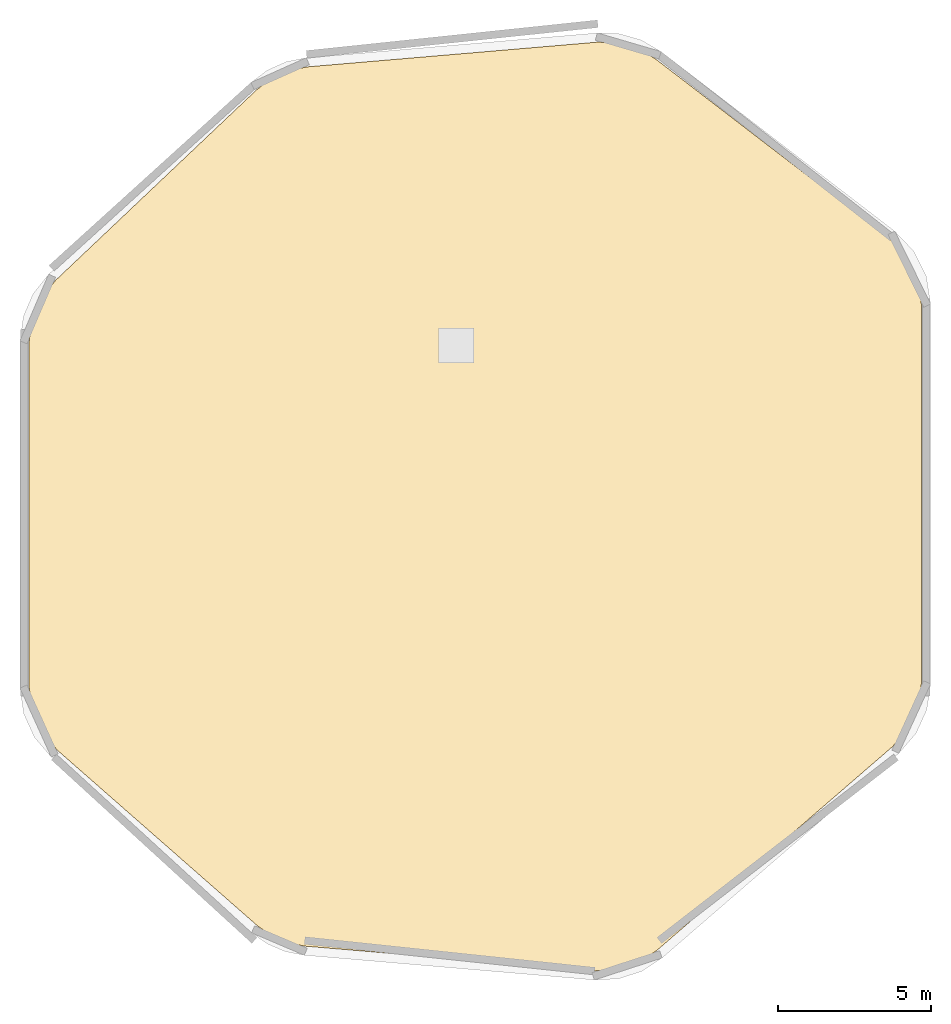
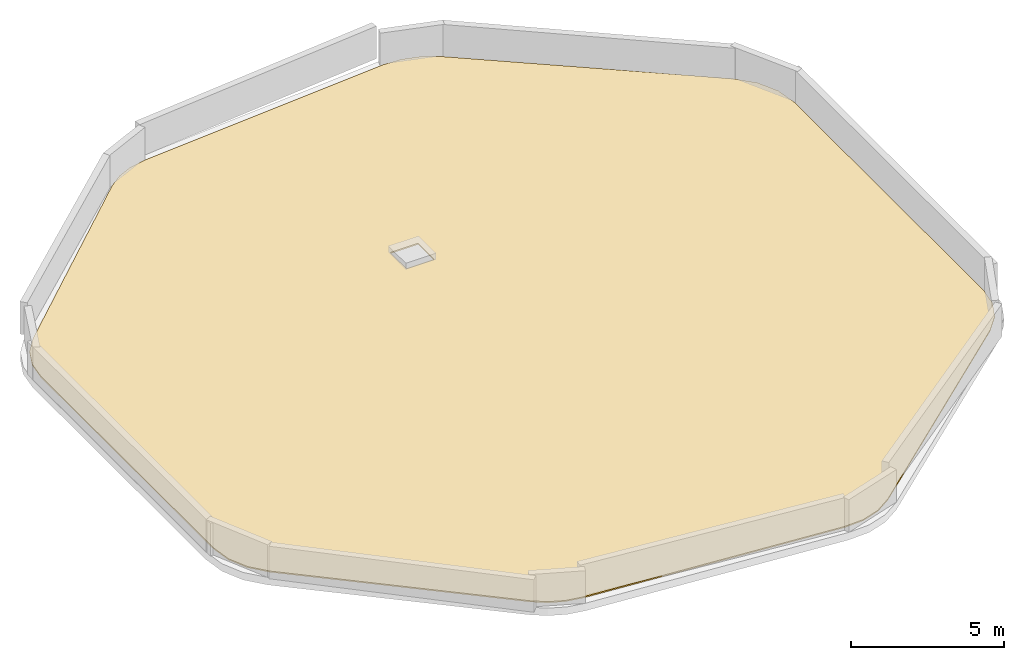
# One storey, part 2 of 2: 1 covering.
"""IFC4 building model written with IfcOpenShell, lengths in metres."""

import ifcopenshell
import ifcopenshell.guid

model = None  # the IFC model being written
_history = None  # IfcOwnerHistory: only IFC2X3 demands one
_inside = {}  # id of a spatial element -> (the spatial element, [elements in it])
_under = {}  # id of a project, library or spatial element -> (it, [spatial elements below it])
_declared = {}  # id of a project -> (the project, [libraries it declares])
_typed = {}  # id of a type object -> (the type object, [elements of that type])
_made_of = {}  # id of a material, layer set ... -> (it, [elements and type objects made of it])


def new_model(schema):
    """Start an empty IFC model of exactly this schema.

    Asked for "IFC4X3", IfcOpenShell would pick the latest addendum, in which some entities
    have other attributes; the version numbers below select the first issue.
    IFC2X3 requires an IfcOwnerHistory on every rooted entity: one is made here for all.
    """
    global model, _history
    if schema == "IFC4X3":
        model = ifcopenshell.file(schema_version=(4, 3, 0, 0))
    else:
        model = ifcopenshell.file(schema=schema)
    _inside.clear()
    _under.clear()
    _declared.clear()
    _typed.clear()
    _made_of.clear()
    _history = None
    if model.schema == "IFC2X3":
        org = make("IfcOrganization", Name="unknown")
        user = make(
            "IfcPersonAndOrganization",
            ThePerson=make("IfcPerson", FamilyName="unknown"),
            TheOrganization=org,
        )
        app = make(
            "IfcApplication",
            ApplicationDeveloper=org,
            Version="unknown",
            ApplicationFullName="unknown",
            ApplicationIdentifier="unknown",
        )
        _history = make(
            "IfcOwnerHistory",
            OwningUser=user,
            OwningApplication=app,
            ChangeAction="ADDED",
            CreationDate=0,
        )
    return model


def make(cls, **values):
    """One entity of the class cls with the attributes given. An attribute that is None is left unset."""
    return model.create_entity(
        cls, **{name: value for name, value in values.items() if value is not None}
    )


def rooted(cls, **values):
    """An entity with a GlobalId (a new one), such as an element, a storey or a relation."""
    return make(cls, GlobalId=ifcopenshell.guid.new(), OwnerHistory=_history, **values)


def si_unit(unit_type, name, prefix=None):
    """IfcSIUnit, for example si_unit("LENGTHUNIT", "METRE", prefix="MILLI")."""
    return make("IfcSIUnit", UnitType=unit_type, Prefix=prefix, Name=name)


def assignment(units):
    """IfcUnitAssignment: the units of a project."""
    return None if units is None else make("IfcUnitAssignment", Units=units)


def point(xyz):
    """IfcCartesianPoint."""
    return None if xyz is None else make("IfcCartesianPoint", Coordinates=xyz)


def direction(xyz):
    """IfcDirection."""
    return None if xyz is None else make("IfcDirection", DirectionRatios=xyz)


def frame(location, z_axis=None, x_axis=None):
    """IfcAxis2Placement3D, a coordinate frame: its origin and axes. An axis left out is left unset."""
    return make(
        "IfcAxis2Placement3D",
        Location=point(location),
        Axis=direction(z_axis),
        RefDirection=direction(x_axis),
    )


def origin():
    """The frame at (0, 0, 0) with its axes left unset."""
    return frame((0.0, 0.0, 0.0))


def place(relative_to, where):
    """IfcLocalPlacement: puts the frame where relative to a parent placement (None: the world)."""
    return make(
        "IfcLocalPlacement", PlacementRelTo=relative_to, RelativePlacement=where
    )


def context(
    kind, dimensions, precision=None, world=None, true_north=None, identifier=None
):
    """IfcGeometricRepresentationContext, for example the 3D "Model" context."""
    return make(
        "IfcGeometricRepresentationContext",
        ContextIdentifier=identifier,
        ContextType=kind,
        CoordinateSpaceDimension=dimensions,
        Precision=precision,
        WorldCoordinateSystem=world,
        TrueNorth=true_north,
    )


def subcontext(parent, identifier, kind, view, scale=None):
    """IfcGeometricRepresentationSubContext, for example "Body" below "Model"."""
    return make(
        "IfcGeometricRepresentationSubContext",
        ContextIdentifier=identifier,
        ContextType=kind,
        ParentContext=parent,
        TargetScale=scale,
        TargetView=view,
    )


def project(units=None, contexts=None):
    """IfcProject with its units and contexts."""
    return rooted(
        "IfcProject",
        Name="project",
        RepresentationContexts=contexts,
        UnitsInContext=assignment(units),
    )


def spatial(cls, under=None, at=None, **own):
    """A site, building, storey or space (cls), placed at a placement, below another one or the project."""
    s = rooted(cls, ObjectPlacement=at, **own)
    if under is not None:
        _under.setdefault(under.id(), (under, []))[1].append(s)
    return s


def polyline(points):
    """IfcPolyline through the points."""
    return make("IfcPolyline", Points=[point(p) for p in points])


def outline(outer, holes=None, kind="AREA"):
    """IfcArbitraryClosedProfileDef: a profile drawn as a closed curve; with holes, ...WithVoids."""
    if holes is None:
        return make("IfcArbitraryClosedProfileDef", ProfileType=kind, OuterCurve=outer)
    return make(
        "IfcArbitraryProfileDefWithVoids",
        ProfileType=kind,
        OuterCurve=outer,
        InnerCurves=holes,
    )


def extrude(swept, where, along, depth):
    """IfcExtrudedAreaSolid: the profile swept, set in the frame where, extruded along a direction by depth."""
    return make(
        "IfcExtrudedAreaSolid",
        SweptArea=swept,
        Position=where,
        ExtrudedDirection=direction(along),
        Depth=depth,
    )


def shape(context_of_items, identifier, shape_type, items):
    """IfcShapeRepresentation: the items that make up one representation, for example the "Body"."""
    return make(
        "IfcShapeRepresentation",
        ContextOfItems=context_of_items,
        RepresentationIdentifier=identifier,
        RepresentationType=shape_type,
        Items=items,
    )


def material(Name=None, Category=None):
    """IfcMaterial."""
    return make("IfcMaterial", Name=Name, Category=Category)


def layer(
    of_material, thickness, ventilated=None, Name=None, Category=None, Priority=None
):
    """IfcMaterialLayer: one layer of a wall or slab, of a material (None: an air gap)."""
    return make(
        "IfcMaterialLayer",
        Material=of_material,
        LayerThickness=thickness,
        IsVentilated=ventilated,
        Name=Name,
        Category=Category,
        Priority=Priority,
    )


def layer_set(layers, Name=None):
    """IfcMaterialLayerSet."""
    return make("IfcMaterialLayerSet", MaterialLayers=layers, LayerSetName=Name)


def made_of(thing, what):
    """Note that an element or type object is made of a material, layer set ...; save() writes the relation."""
    if what is not None:
        _made_of.setdefault(what.id(), (what, []))[1].append(thing)
    return thing


def type_object(cls, material=None, **own):
    """A type object (cls), such as IfcWallType, which elements share."""
    return made_of(rooted(cls, **own), material)


def element(
    cls,
    number,
    at=None,
    inside=None,
    cuts=None,
    type_object=None,
    material=None,
    context=None,
    identifier="Body",
    shape_type=None,
    held_by="IfcProductDefinitionShape",
    body=None,
    shapes=None,
    **own,
):
    """One element of the class cls, such as IfcWall. Its Tag is "e" and its number.

    at: its placement. inside: the storey or other place that contains it. cuts: it is an
    opening in that element (IfcRelVoidsElement). A single representation is given by context,
    identifier, shape_type and body (its items); several are given by shapes. held_by: the class
    of the entity that holds the representations. save() writes the other relations.
    """
    e = rooted(cls, Tag="e%d" % number, ObjectPlacement=at, **own)
    if body is not None:
        shapes = [shape(context, identifier, shape_type, body)]
    if shapes is not None:
        e.Representation = make(held_by, Representations=shapes)
    if inside is not None:
        _inside.setdefault(inside.id(), (inside, []))[1].append(e)
    if cuts is not None:
        rooted(
            "IfcRelVoidsElement", RelatingBuildingElement=cuts, RelatedOpeningElement=e
        )
    if type_object is not None:
        _typed.setdefault(type_object.id(), (type_object, []))[1].append(e)
    return made_of(e, material)


def aggregate(whole, parts):
    """IfcRelAggregates: a whole, such as a stair, and the parts it consists of."""
    return rooted("IfcRelAggregates", RelatingObject=whole, RelatedObjects=parts)


def save(model, path):
    """Write the relations noted so far, then the file.

    IfcRelAggregates (storeys below a building ...), IfcRelContainedInSpatialStructure (elements
    in a storey), IfcRelDefinesByType, IfcRelAssociatesMaterial and IfcRelDeclares: one each for
    every whole, place, type object, material and project.
    """
    for whole, parts in _under.values():
        aggregate(whole, parts)
    for where, things in _inside.values():
        rooted(
            "IfcRelContainedInSpatialStructure",
            RelatedElements=things,
            RelatingStructure=where,
        )
    for kind, things in _typed.values():
        rooted("IfcRelDefinesByType", RelatedObjects=things, RelatingType=kind)
    for what, things in _made_of.values():
        rooted("IfcRelAssociatesMaterial", RelatedObjects=things, RelatingMaterial=what)
    for by, libraries in _declared.values():
        rooted("IfcRelDeclares", RelatingContext=by, RelatedDefinitions=libraries)
    model.write(path)


model = new_model("IFC4")

# Units and contexts
model_context = context("Model", 3, precision=1e-05, world=origin(), true_north=direction((0.0, 1.0)))
body_context = subcontext(model_context, "Body", "Model", "MODEL_VIEW")
ifc_project = project(units=[si_unit("LENGTHUNIT", "METRE"), si_unit("AREAUNIT", "SQUARE_METRE"), si_unit("VOLUMEUNIT", "CUBIC_METRE"), si_unit("PLANEANGLEUNIT", "RADIAN"), si_unit("MASSUNIT", "GRAM", prefix="KILO")], contexts=[model_context])

# Site, building, storey
site_placement = place(None, origin())
site = spatial("IfcSite", under=ifc_project, at=site_placement, CompositionType="ELEMENT")
building_placement = place(site_placement, origin())
building = spatial("IfcBuilding", under=site, at=building_placement, Name="Zulverin Broadcast Headquarters", CompositionType="ELEMENT")
storey_placement = place(building_placement, frame((0.0, 0.0, 337.39990234375)))
storey = spatial("IfcBuildingStorey", under=building, at=storey_placement, Name="RF", CompositionType="ELEMENT", Elevation=337.39990234375)

# Covering
ifc_material = material(Name="Elastomeric TPO reflective roof membrane", Category="bitumen")
ifc_layer = layer(ifc_material, 0.050048828125, Name="Elastomeric TPO reflective roof membrane", Category="bitumen")
ifc_layer_set = layer_set([ifc_layer], Name="Elastomeric TPO reflective roof membrane")
covering_type = type_object("IfcCoveringType", Name="COV-ROOF-MEMB", PredefinedType="ROOFING", material=ifc_layer_set)
covering_placement = place(storey_placement, origin())
element("IfcCovering", 1, at=covering_placement, inside=storey, type_object=covering_type, Name="RF Elastomeric Roof Waterproofing Membrane", PredefinedType="ROOFING", context=body_context, shape_type="SweptSolid", body=[
    extrude(outline(polyline([(27.2353515625, 17.215087890625), (26.72509765625, 17.810302734375), (26.41064453125, 18.50439453125), (26.300048828125, 19.280029296875), (26.300048828125, 30.60546875), (26.40087890625, 31.34716796875), (26.688720703125, 32.01611328125), (27.15771484375, 32.599609375), (33.751708984375, 38.84814453125), (34.247802734375, 39.222412109375), (34.79931640625, 39.469970703125), (35.40869140625, 39.591796875), (44.9033203125, 40.400634765625), (45.585205078125, 40.37451171875), (46.222412109375, 40.187744140625), (46.810791015625, 39.841552734375), (54.427001953125, 33.98876953125), (55.009521484375, 33.37939453125), (55.371826171875, 32.64404296875), (55.5, 31.81103515625), (55.5, 19.41748046875), (55.387451171875, 18.63525390625), (55.067626953125, 17.936279296875), (54.549560546875, 17.339599609375), (46.83154296875, 10.6669921875), (46.21630859375, 10.26416015625), (45.5361328125, 10.043212890625), (44.801513671875, 10.008056640625), (35.343994140625, 10.81396484375), (34.768310546875, 10.925048828125), (34.24365234375, 11.1484375), (33.7646484375, 11.486328125), (27.2353515625, 17.215087890625)]), holes=[polyline([(40.800048828125, 31.0), (39.75, 31.0), (39.75, 29.949951171875), (40.800048828125, 29.949951171875), (40.800048828125, 31.0)])]), origin(), (0.0, 0.0, 1.0), 0.050048828125),
])

save(model, "model.ifc")
